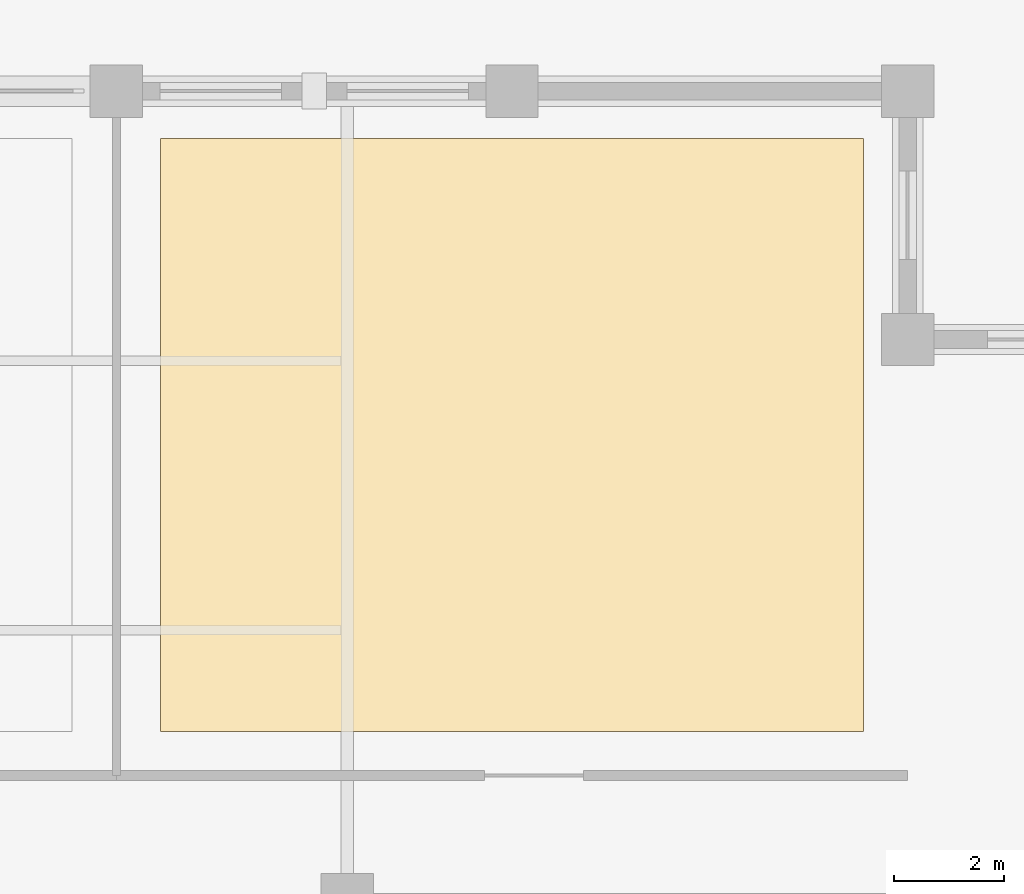
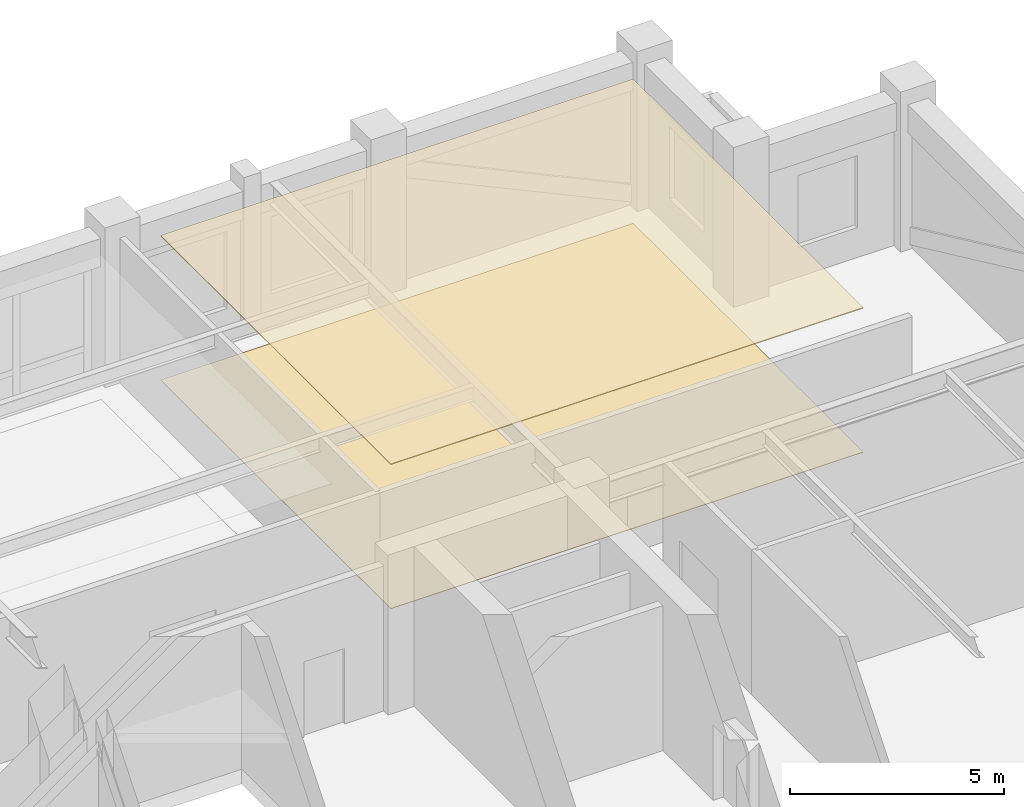
# One storey, part 16 of 16: 2 coverings.
"""IFC4 building model written with IfcOpenShell, lengths in metres."""

import ifcopenshell
import ifcopenshell.guid

model = None  # the IFC model being written
_history = None  # IfcOwnerHistory: only IFC2X3 demands one
_inside = {}  # id of a spatial element -> (the spatial element, [elements in it])
_under = {}  # id of a project, library or spatial element -> (it, [spatial elements below it])
_declared = {}  # id of a project -> (the project, [libraries it declares])
_typed = {}  # id of a type object -> (the type object, [elements of that type])
_made_of = {}  # id of a material, layer set ... -> (it, [elements and type objects made of it])


def new_model(schema):
    """Start an empty IFC model of exactly this schema.

    Asked for "IFC4X3", IfcOpenShell would pick the latest addendum, in which some entities
    have other attributes; the version numbers below select the first issue.
    IFC2X3 requires an IfcOwnerHistory on every rooted entity: one is made here for all.
    """
    global model, _history
    if schema == "IFC4X3":
        model = ifcopenshell.file(schema_version=(4, 3, 0, 0))
    else:
        model = ifcopenshell.file(schema=schema)
    _inside.clear()
    _under.clear()
    _declared.clear()
    _typed.clear()
    _made_of.clear()
    _history = None
    if model.schema == "IFC2X3":
        org = make("IfcOrganization", Name="unknown")
        user = make(
            "IfcPersonAndOrganization",
            ThePerson=make("IfcPerson", FamilyName="unknown"),
            TheOrganization=org,
        )
        app = make(
            "IfcApplication",
            ApplicationDeveloper=org,
            Version="unknown",
            ApplicationFullName="unknown",
            ApplicationIdentifier="unknown",
        )
        _history = make(
            "IfcOwnerHistory",
            OwningUser=user,
            OwningApplication=app,
            ChangeAction="ADDED",
            CreationDate=0,
        )
    return model


def make(cls, **values):
    """One entity of the class cls with the attributes given. An attribute that is None is left unset."""
    return model.create_entity(
        cls, **{name: value for name, value in values.items() if value is not None}
    )


def rooted(cls, **values):
    """An entity with a GlobalId (a new one), such as an element, a storey or a relation."""
    return make(cls, GlobalId=ifcopenshell.guid.new(), OwnerHistory=_history, **values)


def si_unit(unit_type, name, prefix=None):
    """IfcSIUnit, for example si_unit("LENGTHUNIT", "METRE", prefix="MILLI")."""
    return make("IfcSIUnit", UnitType=unit_type, Prefix=prefix, Name=name)


def assignment(units):
    """IfcUnitAssignment: the units of a project."""
    return None if units is None else make("IfcUnitAssignment", Units=units)


def point(xyz):
    """IfcCartesianPoint."""
    return None if xyz is None else make("IfcCartesianPoint", Coordinates=xyz)


def direction(xyz):
    """IfcDirection."""
    return None if xyz is None else make("IfcDirection", DirectionRatios=xyz)


def frame(location, z_axis=None, x_axis=None):
    """IfcAxis2Placement3D, a coordinate frame: its origin and axes. An axis left out is left unset."""
    return make(
        "IfcAxis2Placement3D",
        Location=point(location),
        Axis=direction(z_axis),
        RefDirection=direction(x_axis),
    )


def origin():
    """The frame at (0, 0, 0) with its axes left unset."""
    return frame((0.0, 0.0, 0.0))


def place(relative_to, where):
    """IfcLocalPlacement: puts the frame where relative to a parent placement (None: the world)."""
    return make(
        "IfcLocalPlacement", PlacementRelTo=relative_to, RelativePlacement=where
    )


def context(
    kind, dimensions, precision=None, world=None, true_north=None, identifier=None
):
    """IfcGeometricRepresentationContext, for example the 3D "Model" context."""
    return make(
        "IfcGeometricRepresentationContext",
        ContextIdentifier=identifier,
        ContextType=kind,
        CoordinateSpaceDimension=dimensions,
        Precision=precision,
        WorldCoordinateSystem=world,
        TrueNorth=true_north,
    )


def subcontext(parent, identifier, kind, view, scale=None):
    """IfcGeometricRepresentationSubContext, for example "Body" below "Model"."""
    return make(
        "IfcGeometricRepresentationSubContext",
        ContextIdentifier=identifier,
        ContextType=kind,
        ParentContext=parent,
        TargetScale=scale,
        TargetView=view,
    )


def project(units=None, contexts=None):
    """IfcProject with its units and contexts."""
    return rooted(
        "IfcProject",
        Name="project",
        RepresentationContexts=contexts,
        UnitsInContext=assignment(units),
    )


def spatial(cls, under=None, at=None, **own):
    """A site, building, storey or space (cls), placed at a placement, below another one or the project."""
    s = rooted(cls, ObjectPlacement=at, **own)
    if under is not None:
        _under.setdefault(under.id(), (under, []))[1].append(s)
    return s


def polyline(points):
    """IfcPolyline through the points."""
    return make("IfcPolyline", Points=[point(p) for p in points])


def outline(outer, holes=None, kind="AREA"):
    """IfcArbitraryClosedProfileDef: a profile drawn as a closed curve; with holes, ...WithVoids."""
    if holes is None:
        return make("IfcArbitraryClosedProfileDef", ProfileType=kind, OuterCurve=outer)
    return make(
        "IfcArbitraryProfileDefWithVoids",
        ProfileType=kind,
        OuterCurve=outer,
        InnerCurves=holes,
    )


def extrude(swept, where, along, depth):
    """IfcExtrudedAreaSolid: the profile swept, set in the frame where, extruded along a direction by depth."""
    return make(
        "IfcExtrudedAreaSolid",
        SweptArea=swept,
        Position=where,
        ExtrudedDirection=direction(along),
        Depth=depth,
    )


def shape(context_of_items, identifier, shape_type, items):
    """IfcShapeRepresentation: the items that make up one representation, for example the "Body"."""
    return make(
        "IfcShapeRepresentation",
        ContextOfItems=context_of_items,
        RepresentationIdentifier=identifier,
        RepresentationType=shape_type,
        Items=items,
    )


def material(Name=None, Category=None):
    """IfcMaterial."""
    return make("IfcMaterial", Name=Name, Category=Category)


def layer(
    of_material, thickness, ventilated=None, Name=None, Category=None, Priority=None
):
    """IfcMaterialLayer: one layer of a wall or slab, of a material (None: an air gap)."""
    return make(
        "IfcMaterialLayer",
        Material=of_material,
        LayerThickness=thickness,
        IsVentilated=ventilated,
        Name=Name,
        Category=Category,
        Priority=Priority,
    )


def layer_set(layers, Name=None):
    """IfcMaterialLayerSet."""
    return make("IfcMaterialLayerSet", MaterialLayers=layers, LayerSetName=Name)


def made_of(thing, what):
    """Note that an element or type object is made of a material, layer set ...; save() writes the relation."""
    if what is not None:
        _made_of.setdefault(what.id(), (what, []))[1].append(thing)
    return thing


def type_object(cls, material=None, **own):
    """A type object (cls), such as IfcWallType, which elements share."""
    return made_of(rooted(cls, **own), material)


def element(
    cls,
    number,
    at=None,
    inside=None,
    cuts=None,
    type_object=None,
    material=None,
    context=None,
    identifier="Body",
    shape_type=None,
    held_by="IfcProductDefinitionShape",
    body=None,
    shapes=None,
    **own,
):
    """One element of the class cls, such as IfcWall. Its Tag is "e" and its number.

    at: its placement. inside: the storey or other place that contains it. cuts: it is an
    opening in that element (IfcRelVoidsElement). A single representation is given by context,
    identifier, shape_type and body (its items); several are given by shapes. held_by: the class
    of the entity that holds the representations. save() writes the other relations.
    """
    e = rooted(cls, Tag="e%d" % number, ObjectPlacement=at, **own)
    if body is not None:
        shapes = [shape(context, identifier, shape_type, body)]
    if shapes is not None:
        e.Representation = make(held_by, Representations=shapes)
    if inside is not None:
        _inside.setdefault(inside.id(), (inside, []))[1].append(e)
    if cuts is not None:
        rooted(
            "IfcRelVoidsElement", RelatingBuildingElement=cuts, RelatedOpeningElement=e
        )
    if type_object is not None:
        _typed.setdefault(type_object.id(), (type_object, []))[1].append(e)
    return made_of(e, material)


def aggregate(whole, parts):
    """IfcRelAggregates: a whole, such as a stair, and the parts it consists of."""
    return rooted("IfcRelAggregates", RelatingObject=whole, RelatedObjects=parts)


def save(model, path):
    """Write the relations noted so far, then the file.

    IfcRelAggregates (storeys below a building ...), IfcRelContainedInSpatialStructure (elements
    in a storey), IfcRelDefinesByType, IfcRelAssociatesMaterial and IfcRelDeclares: one each for
    every whole, place, type object, material and project.
    """
    for whole, parts in _under.values():
        aggregate(whole, parts)
    for where, things in _inside.values():
        rooted(
            "IfcRelContainedInSpatialStructure",
            RelatedElements=things,
            RelatingStructure=where,
        )
    for kind, things in _typed.values():
        rooted("IfcRelDefinesByType", RelatedObjects=things, RelatingType=kind)
    for what, things in _made_of.values():
        rooted("IfcRelAssociatesMaterial", RelatedObjects=things, RelatingMaterial=what)
    for by, libraries in _declared.values():
        rooted("IfcRelDeclares", RelatingContext=by, RelatedDefinitions=libraries)
    model.write(path)


model = new_model("IFC4")

# Units and contexts
model_context = context("Model", 3, precision=1e-05, world=origin(), true_north=direction((0.0, 1.0)))
body_context = subcontext(model_context, "Body", "Model", "MODEL_VIEW")
ifc_project = project(units=[si_unit("LENGTHUNIT", "METRE"), si_unit("AREAUNIT", "SQUARE_METRE"), si_unit("VOLUMEUNIT", "CUBIC_METRE"), si_unit("PLANEANGLEUNIT", "RADIAN"), si_unit("MASSUNIT", "GRAM", prefix="KILO")], contexts=[model_context])

# Site, building, storey
site_placement = place(None, origin())
site = spatial("IfcSite", under=ifc_project, at=site_placement, CompositionType="ELEMENT")
building_placement = place(site_placement, origin())
building = spatial("IfcBuilding", under=site, at=building_placement, Name="Nhamokura Convention Tower", CompositionType="ELEMENT")
storey_placement = place(building_placement, frame((0.0, 0.0, 106.050048828125)))
storey = spatial("IfcBuildingStorey", under=building, at=storey_placement, Name="L25", CompositionType="ELEMENT", Elevation=106.050048828125)

# Coverings
ifc_material_1 = material(Name="Mineral-fibre acoustic ceiling tile", Category="gypsum")
ifc_layer_1 = layer(ifc_material_1, 0.02490234375)
ifc_layer_set_1 = layer_set([ifc_layer_1], Name="AcousticTileCeiling_25")
covering_type_1 = type_object("IfcCoveringType", Name="AcousticTileCeiling_25", PredefinedType="CEILING", material=ifc_layer_set_1)
covering_1_placement = place(storey_placement, frame((0.0, 0.0, 4.10498046875)))
element("IfcCovering", 1, at=covering_1_placement, inside=storey, type_object=covering_type_1, Name="L25 Suspended Ceiling 06", PredefinedType="CEILING", context=body_context, shape_type="SweptSolid", body=[
    extrude(outline(polyline([(39.966796875, 46.39990234375), (52.699951171875, 46.39990234375), (52.699951171875, 57.139892578125), (39.966796875, 57.139892578125), (39.966796875, 46.39990234375)])), origin(), (0.0, 0.0, 1.0), 0.02490234375),
])
ifc_material_2 = material(Name="Acoustic woven hospitality carpet", Category="wood")
ifc_layer_2 = layer(ifc_material_2, 0.014892578125)
ifc_layer_set_2 = layer_set([ifc_layer_2], Name="WovenCarpetFlooring_15")
covering_type_2 = type_object("IfcCoveringType", Name="WovenCarpetFlooring_15", PredefinedType="FLOORING", material=ifc_layer_set_2)
covering_2_placement = place(storey_placement, origin())
element("IfcCovering", 2, at=covering_2_placement, inside=storey, type_object=covering_type_2, Name="L25 Finish Flooring 06", PredefinedType="FLOORING", context=body_context, shape_type="SweptSolid", body=[
    extrude(outline(polyline([(39.966796875, 46.39990234375), (52.699951171875, 46.39990234375), (52.699951171875, 57.139892578125), (39.966796875, 57.139892578125), (39.966796875, 46.39990234375)])), origin(), (0.0, 0.0, 1.0), 0.014892578125),
])

save(model, "model.ifc")
